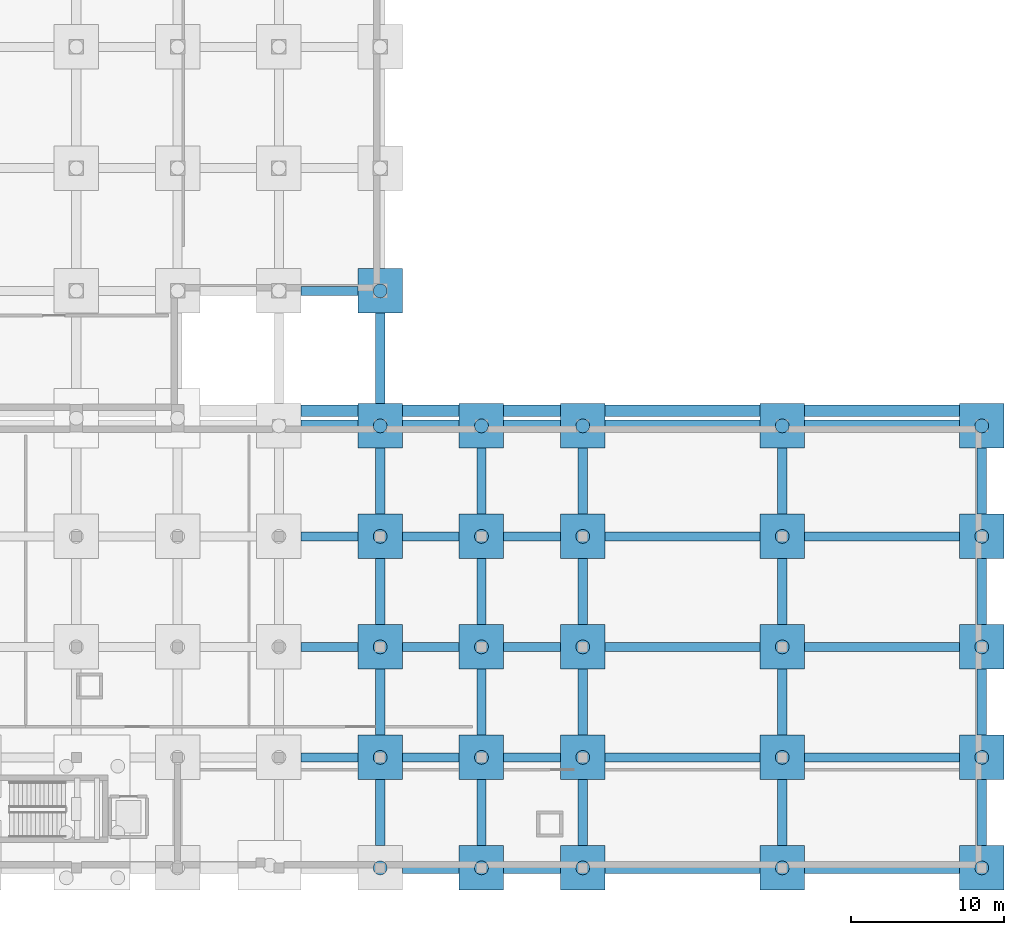
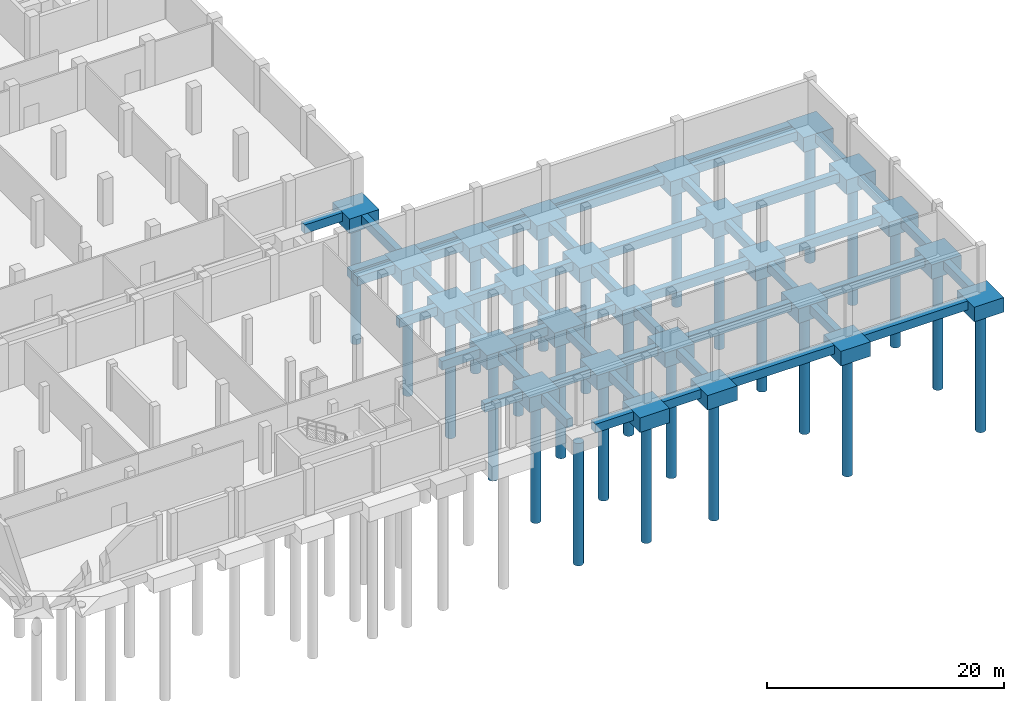
# One storey, part 11 of 29: 76 footings, 26 piles.
"""IFC4 building model written with IfcOpenShell, lengths in metres."""

from ifc_helpers import new_model, si_unit, direction, frame, origin, origin_2d, place, context, subcontext, project, spatial, polyline, rectangle, circle, outline, extrude, material, material_profile, profile_set, type_object, element, save


model = new_model("IFC4")

# Units and contexts
model_context = context("Model", 3, precision=1e-05, world=origin(), true_north=direction((0.0, 1.0)))
body_context = subcontext(model_context, "Body", "Model", "MODEL_VIEW")
ifc_project = project(units=[si_unit("LENGTHUNIT", "METRE"), si_unit("AREAUNIT", "SQUARE_METRE"), si_unit("VOLUMEUNIT", "CUBIC_METRE"), si_unit("PLANEANGLEUNIT", "RADIAN"), si_unit("MASSUNIT", "GRAM", prefix="KILO")], contexts=[model_context])

# Site, building, storey
site_placement = place(None, origin())
site = spatial("IfcSite", under=ifc_project, at=site_placement, CompositionType="ELEMENT")
building_placement = place(site_placement, origin())
building = spatial("IfcBuilding", under=site, at=building_placement, Name="Kelarvand Opera House", CompositionType="ELEMENT")
storey_placement = place(building_placement, frame((0.0, 0.0, -9.60009765625)))
storey = spatial("IfcBuildingStorey", under=building, at=storey_placement, Name="B2", CompositionType="ELEMENT", Elevation=-9.60009765625)

# Piles
ifc_material = material(Name="Concrete C40/50", Category="concrete")
ifc_material_profile = material_profile(ifc_material, circle(Radius=0.449951171875, at=origin_2d()), Name="BP 900", Category="concrete")
ifc_profile_set = profile_set([ifc_material_profile], Name="Concrete C40/50")
pile_type = type_object("IfcPileType", Name="Bored Pile 900 Concrete C40/50", PredefinedType="BORED", material=ifc_profile_set)
for number, where, z_axis, x_axis, name in (
    (1, (141.800048828125, 9.0, -1.7998046875), (0.0, 0.0, -1.0), (1.0, 0.0, 0.0), "V6 Bored Pile 20"),
    (2, (148.39990234375, 9.0, -1.7998046875), (0.0, 0.0, -1.0), (1.0, 0.0, 0.0), "V6 Bored Pile 21"),
    (3, (155.0, 9.0, -1.7998046875), (0.0, 0.0, -1.0), (1.0, 0.0, 0.0), "V6 Bored Pile 22"),
    (4, (168.0, 9.0, -1.7998046875), (0.0, 0.0, -1.0), (1.0, 0.0, 0.0), "V6 Bored Pile 23"),
    (5, (181.0, 9.0, -1.7998046875), (0.0, 0.0, -1.0), (1.0, 0.0, 0.0), "V6 Bored Pile 24"),
    (6, (141.800048828125, 16.199951171875, -1.7998046875), (0.0, 0.0, -1.0), (1.0, 0.0, 0.0), "V6 Bored Pile 45"),
    (7, (148.39990234375, 16.199951171875, -1.7998046875), (0.0, 0.0, -1.0), (1.0, 0.0, 0.0), "V6 Bored Pile 46"),
    (8, (155.0, 16.199951171875, -1.7998046875), (0.0, 0.0, -1.0), (1.0, 0.0, 0.0), "V6 Bored Pile 47"),
    (9, (168.0, 16.199951171875, -1.7998046875), (0.0, 0.0, -1.0), (1.0, 0.0, 0.0), "V6 Bored Pile 48"),
    (10, (181.0, 16.199951171875, -1.7998046875), (0.0, 0.0, -1.0), (1.0, 0.0, 0.0), "V6 Bored Pile 49"),
    (11, (141.800048828125, 23.39990234375, -1.7998046875), (0.0, 0.0, -1.0), (1.0, 0.0, 0.0), "V6 Bored Pile 65"),
    (12, (148.39990234375, 23.39990234375, -1.7998046875), (0.0, 0.0, -1.0), (1.0, 0.0, 0.0), "V6 Bored Pile 66"),
    (13, (155.0, 23.39990234375, -1.7998046875), (0.0, 0.0, -1.0), (1.0, 0.0, 0.0), "V6 Bored Pile 67"),
    (14, (168.0, 23.39990234375, -1.7998046875), (0.0, 0.0, -1.0), (1.0, 0.0, 0.0), "V6 Bored Pile 68"),
    (15, (181.0, 23.39990234375, -1.7998046875), (0.0, 0.0, -1.0), (1.0, 0.0, 0.0), "V6 Bored Pile 69"),
    (16, (141.800048828125, 30.60009765625, -1.7998046875), (0.0, 0.0, -1.0), (1.0, 0.0, 0.0), "V6 Bored Pile 85"),
    (17, (148.39990234375, 30.60009765625, -1.7998046875), (0.0, 0.0, -1.0), (1.0, 0.0, 0.0), "V6 Bored Pile 86"),
    (18, (155.0, 30.60009765625, -1.7998046875), (0.0, 0.0, -1.0), (1.0, 0.0, 0.0), "V6 Bored Pile 87"),
    (19, (168.0, 30.60009765625, -1.7998046875), (0.0, 0.0, -1.0), (1.0, 0.0, 0.0), "V6 Bored Pile 88"),
    (20, (181.0, 30.60009765625, -1.7998046875), (0.0, 0.0, -1.0), (1.0, 0.0, 0.0), "V6 Bored Pile 89"),
    (21, (141.800048828125, 37.800048828125, -1.7998046875), (0.0, 0.0, -1.0), (1.0, 0.0, 0.0), "V6 Bored Pile 106"),
    (22, (148.39990234375, 37.800048828125, -1.7998046875), (0.0, 0.0, -1.0), (1.0, 0.0, 0.0), "V6 Bored Pile 107"),
    (23, (155.0, 37.800048828125, -1.7998046875), (0.0, 0.0, -1.0), (1.0, 0.0, 0.0), "V6 Bored Pile 108"),
    (24, (168.0, 37.800048828125, -1.7998046875), (0.0, 0.0, -1.0), (1.0, 0.0, 0.0), "V6 Bored Pile 109"),
    (25, (181.0, 37.800048828125, -1.7998046875), (0.0, 0.0, -1.0), (1.0, 0.0, 0.0), "V6 Bored Pile 110"),
    (26, (141.800048828125, 46.60009765625, -1.7998046875), (0.0, 0.0, -1.0), (1.0, 0.0, 0.0), "V1 Bored Pile 131"),
):
    element("IfcPile", number, at=place(storey_placement, frame(where, z_axis=z_axis, x_axis=x_axis)), inside=storey, type_object=pile_type, Name=name, PredefinedType="BORED", context=body_context, shape_type="SweptSolid", body=[
        extrude(circle(Radius=0.449951171875, at=origin_2d()), origin(), (0.0, 0.0, 1.0), 12.60009765625),
    ])

# Footings
footing_type_1 = type_object("IfcFootingType", Name="Ground Tie Beam 600x900 Concrete C40/50", PredefinedType="FOOTING_BEAM", material=ifc_material)
footing_1_placement = place(storey_placement, frame((0.0, 0.0, -1.2998046875)))
element("IfcFooting", 27, at=footing_1_placement, inside=storey, type_object=footing_type_1, Name="Ground Beam 30", PredefinedType="FOOTING_BEAM", context=body_context, shape_type="SweptSolid", body=[
    extrude(outline(polyline([(136.64990234375, 15.89990234375), (140.35009765625, 15.89990234375), (140.35009765625, 16.5), (136.64990234375, 16.5), (136.64990234375, 15.89990234375)])), origin(), (0.0, 0.0, 1.0), 0.89990234375),
])
footing_2_placement = place(storey_placement, frame((0.0, 0.0, -1.2998046875)))
element("IfcFooting", 28, at=footing_2_placement, inside=storey, type_object=footing_type_1, Name="Ground Beam 31", PredefinedType="FOOTING_BEAM", context=body_context, shape_type="SweptSolid", body=[
    extrude(outline(polyline([(143.25, 15.89990234375), (146.949951171875, 15.89990234375), (146.949951171875, 16.5), (143.25, 16.5), (143.25, 15.89990234375)])), origin(), (0.0, 0.0, 1.0), 0.89990234375),
])
footing_3_placement = place(storey_placement, frame((0.0, 0.0, -1.2998046875)))
element("IfcFooting", 29, at=footing_3_placement, inside=storey, type_object=footing_type_1, Name="Ground Beam 32", PredefinedType="FOOTING_BEAM", context=body_context, shape_type="SweptSolid", body=[
    extrude(outline(polyline([(149.85009765625, 15.89990234375), (153.550048828125, 15.89990234375), (153.550048828125, 16.5), (149.85009765625, 16.5), (149.85009765625, 15.89990234375)])), origin(), (0.0, 0.0, 1.0), 0.89990234375),
])
footing_4_placement = place(storey_placement, frame((0.0, 0.0, -1.2998046875)))
element("IfcFooting", 30, at=footing_4_placement, inside=storey, type_object=footing_type_1, Name="Ground Beam 33", PredefinedType="FOOTING_BEAM", context=body_context, shape_type="SweptSolid", body=[
    extrude(outline(polyline([(156.449951171875, 15.89990234375), (166.550048828125, 15.89990234375), (166.550048828125, 16.5), (156.449951171875, 16.5), (156.449951171875, 15.89990234375)])), origin(), (0.0, 0.0, 1.0), 0.89990234375),
])
footing_5_placement = place(storey_placement, frame((0.0, 0.0, -1.2998046875)))
element("IfcFooting", 31, at=footing_5_placement, inside=storey, type_object=footing_type_1, Name="Ground Beam 34", PredefinedType="FOOTING_BEAM", context=body_context, shape_type="SweptSolid", body=[
    extrude(outline(polyline([(169.449951171875, 15.89990234375), (179.550048828125, 15.89990234375), (179.550048828125, 16.5), (169.449951171875, 16.5), (169.449951171875, 15.89990234375)])), origin(), (0.0, 0.0, 1.0), 0.89990234375),
])
footing_6_placement = place(storey_placement, frame((0.0, 0.0, -1.2998046875)))
element("IfcFooting", 32, at=footing_6_placement, inside=storey, type_object=footing_type_1, Name="Ground Beam 47", PredefinedType="FOOTING_BEAM", context=body_context, shape_type="SweptSolid", body=[
    extrude(outline(polyline([(136.64990234375, 23.10009765625), (140.35009765625, 23.10009765625), (140.35009765625, 23.699951171875), (136.64990234375, 23.699951171875), (136.64990234375, 23.10009765625)])), origin(), (0.0, 0.0, 1.0), 0.89990234375),
])
footing_7_placement = place(storey_placement, frame((0.0, 0.0, -1.2998046875)))
element("IfcFooting", 33, at=footing_7_placement, inside=storey, type_object=footing_type_1, Name="Ground Beam 48", PredefinedType="FOOTING_BEAM", context=body_context, shape_type="SweptSolid", body=[
    extrude(outline(polyline([(143.25, 23.10009765625), (146.949951171875, 23.10009765625), (146.949951171875, 23.699951171875), (143.25, 23.699951171875), (143.25, 23.10009765625)])), origin(), (0.0, 0.0, 1.0), 0.89990234375),
])
footing_8_placement = place(storey_placement, frame((0.0, 0.0, -1.2998046875)))
element("IfcFooting", 34, at=footing_8_placement, inside=storey, type_object=footing_type_1, Name="Ground Beam 49", PredefinedType="FOOTING_BEAM", context=body_context, shape_type="SweptSolid", body=[
    extrude(outline(polyline([(149.85009765625, 23.10009765625), (153.550048828125, 23.10009765625), (153.550048828125, 23.699951171875), (149.85009765625, 23.699951171875), (149.85009765625, 23.10009765625)])), origin(), (0.0, 0.0, 1.0), 0.89990234375),
])
footing_9_placement = place(storey_placement, frame((0.0, 0.0, -1.2998046875)))
element("IfcFooting", 35, at=footing_9_placement, inside=storey, type_object=footing_type_1, Name="Ground Beam 50", PredefinedType="FOOTING_BEAM", context=body_context, shape_type="SweptSolid", body=[
    extrude(outline(polyline([(156.449951171875, 23.10009765625), (166.550048828125, 23.10009765625), (166.550048828125, 23.699951171875), (156.449951171875, 23.699951171875), (156.449951171875, 23.10009765625)])), origin(), (0.0, 0.0, 1.0), 0.89990234375),
])
footing_10_placement = place(storey_placement, frame((0.0, 0.0, -1.2998046875)))
element("IfcFooting", 36, at=footing_10_placement, inside=storey, type_object=footing_type_1, Name="Ground Beam 51", PredefinedType="FOOTING_BEAM", context=body_context, shape_type="SweptSolid", body=[
    extrude(outline(polyline([(169.449951171875, 23.10009765625), (179.550048828125, 23.10009765625), (179.550048828125, 23.699951171875), (169.449951171875, 23.699951171875), (169.449951171875, 23.10009765625)])), origin(), (0.0, 0.0, 1.0), 0.89990234375),
])
footing_11_placement = place(storey_placement, frame((0.0, 0.0, -1.2998046875)))
element("IfcFooting", 37, at=footing_11_placement, inside=storey, type_object=footing_type_1, Name="Ground Beam 64", PredefinedType="FOOTING_BEAM", context=body_context, shape_type="SweptSolid", body=[
    extrude(outline(polyline([(136.64990234375, 30.300048828125), (140.35009765625, 30.300048828125), (140.35009765625, 30.89990234375), (136.64990234375, 30.89990234375), (136.64990234375, 30.300048828125)])), origin(), (0.0, 0.0, 1.0), 0.89990234375),
])
footing_12_placement = place(storey_placement, frame((0.0, 0.0, -1.2998046875)))
element("IfcFooting", 38, at=footing_12_placement, inside=storey, type_object=footing_type_1, Name="Ground Beam 65", PredefinedType="FOOTING_BEAM", context=body_context, shape_type="SweptSolid", body=[
    extrude(outline(polyline([(143.25, 30.300048828125), (146.949951171875, 30.300048828125), (146.949951171875, 30.89990234375), (143.25, 30.89990234375), (143.25, 30.300048828125)])), origin(), (0.0, 0.0, 1.0), 0.89990234375),
])
footing_13_placement = place(storey_placement, frame((0.0, 0.0, -1.2998046875)))
element("IfcFooting", 39, at=footing_13_placement, inside=storey, type_object=footing_type_1, Name="Ground Beam 66", PredefinedType="FOOTING_BEAM", context=body_context, shape_type="SweptSolid", body=[
    extrude(outline(polyline([(149.85009765625, 30.300048828125), (153.550048828125, 30.300048828125), (153.550048828125, 30.89990234375), (149.85009765625, 30.89990234375), (149.85009765625, 30.300048828125)])), origin(), (0.0, 0.0, 1.0), 0.89990234375),
])
footing_14_placement = place(storey_placement, frame((0.0, 0.0, -1.2998046875)))
element("IfcFooting", 40, at=footing_14_placement, inside=storey, type_object=footing_type_1, Name="Ground Beam 67", PredefinedType="FOOTING_BEAM", context=body_context, shape_type="SweptSolid", body=[
    extrude(outline(polyline([(156.449951171875, 30.300048828125), (166.550048828125, 30.300048828125), (166.550048828125, 30.89990234375), (156.449951171875, 30.89990234375), (156.449951171875, 30.300048828125)])), origin(), (0.0, 0.0, 1.0), 0.89990234375),
])
footing_15_placement = place(storey_placement, frame((0.0, 0.0, -1.2998046875)))
element("IfcFooting", 41, at=footing_15_placement, inside=storey, type_object=footing_type_1, Name="Ground Beam 68", PredefinedType="FOOTING_BEAM", context=body_context, shape_type="SweptSolid", body=[
    extrude(outline(polyline([(169.449951171875, 30.300048828125), (179.550048828125, 30.300048828125), (179.550048828125, 30.89990234375), (169.449951171875, 30.89990234375), (169.449951171875, 30.300048828125)])), origin(), (0.0, 0.0, 1.0), 0.89990234375),
])
footing_16_placement = place(storey_placement, frame((0.0, 0.0, -1.2998046875)))
element("IfcFooting", 42, at=footing_16_placement, inside=storey, type_object=footing_type_1, Name="Ground Beam 126", PredefinedType="FOOTING_BEAM", context=body_context, shape_type="SweptSolid", body=[
    extrude(outline(polyline([(136.64990234375, 46.300048828125), (140.35009765625, 46.300048828125), (140.35009765625, 46.89990234375), (136.64990234375, 46.89990234375), (136.64990234375, 46.300048828125)])), origin(), (0.0, 0.0, 1.0), 0.89990234375),
])
footing_17_placement = place(storey_placement, frame((0.0, 0.0, -1.2998046875)))
element("IfcFooting", 43, at=footing_17_placement, inside=storey, type_object=footing_type_1, Name="Ground Beam 501", PredefinedType="FOOTING_BEAM", context=body_context, shape_type="SweptSolid", body=[
    extrude(outline(polyline([(141.5, 10.449951171875), (142.10009765625, 10.449951171875), (142.10009765625, 14.75), (141.5, 14.75), (141.5, 10.449951171875)])), origin(), (0.0, 0.0, 1.0), 0.89990234375),
])
footing_18_placement = place(storey_placement, frame((0.0, 0.0, -1.2998046875)))
element("IfcFooting", 44, at=footing_18_placement, inside=storey, type_object=footing_type_1, Name="Ground Beam 502", PredefinedType="FOOTING_BEAM", context=body_context, shape_type="SweptSolid", body=[
    extrude(outline(polyline([(141.5, 17.64990234375), (142.10009765625, 17.64990234375), (142.10009765625, 21.949951171875), (141.5, 21.949951171875), (141.5, 17.64990234375)])), origin(), (0.0, 0.0, 1.0), 0.89990234375),
])
footing_19_placement = place(storey_placement, frame((0.0, 0.0, -1.2998046875)))
element("IfcFooting", 45, at=footing_19_placement, inside=storey, type_object=footing_type_1, Name="Ground Beam 503", PredefinedType="FOOTING_BEAM", context=body_context, shape_type="SweptSolid", body=[
    extrude(outline(polyline([(141.5, 24.85009765625), (142.10009765625, 24.85009765625), (142.10009765625, 29.14990234375), (141.5, 29.14990234375), (141.5, 24.85009765625)])), origin(), (0.0, 0.0, 1.0), 0.89990234375),
])
footing_20_placement = place(storey_placement, frame((0.0, 0.0, -1.2998046875)))
element("IfcFooting", 46, at=footing_20_placement, inside=storey, type_object=footing_type_1, Name="Ground Beam 504", PredefinedType="FOOTING_BEAM", context=body_context, shape_type="SweptSolid", body=[
    extrude(outline(polyline([(141.5, 32.050048828125), (142.10009765625, 32.050048828125), (142.10009765625, 36.35009765625), (141.5, 36.35009765625), (141.5, 32.050048828125)])), origin(), (0.0, 0.0, 1.0), 0.89990234375),
])
footing_21_placement = place(storey_placement, frame((0.0, 0.0, -1.2998046875)))
element("IfcFooting", 47, at=footing_21_placement, inside=storey, type_object=footing_type_1, Name="Ground Beam 505", PredefinedType="FOOTING_BEAM", context=body_context, shape_type="SweptSolid", body=[
    extrude(outline(polyline([(141.5, 39.25), (142.10009765625, 39.25), (142.10009765625, 45.14990234375), (141.5, 45.14990234375), (141.5, 39.25)])), origin(), (0.0, 0.0, 1.0), 0.89990234375),
])
footing_22_placement = place(storey_placement, frame((0.0, 0.0, -1.2998046875)))
element("IfcFooting", 48, at=footing_22_placement, inside=storey, type_object=footing_type_1, Name="Ground Beam 510", PredefinedType="FOOTING_BEAM", context=body_context, shape_type="SweptSolid", body=[
    extrude(outline(polyline([(148.10009765625, 10.449951171875), (148.699951171875, 10.449951171875), (148.699951171875, 14.75), (148.10009765625, 14.75), (148.10009765625, 10.449951171875)])), origin(), (0.0, 0.0, 1.0), 0.89990234375),
])
footing_23_placement = place(storey_placement, frame((0.0, 0.0, -1.2998046875)))
element("IfcFooting", 49, at=footing_23_placement, inside=storey, type_object=footing_type_1, Name="Ground Beam 511", PredefinedType="FOOTING_BEAM", context=body_context, shape_type="SweptSolid", body=[
    extrude(outline(polyline([(148.10009765625, 17.64990234375), (148.699951171875, 17.64990234375), (148.699951171875, 21.949951171875), (148.10009765625, 21.949951171875), (148.10009765625, 17.64990234375)])), origin(), (0.0, 0.0, 1.0), 0.89990234375),
])
footing_24_placement = place(storey_placement, frame((0.0, 0.0, -1.2998046875)))
element("IfcFooting", 50, at=footing_24_placement, inside=storey, type_object=footing_type_1, Name="Ground Beam 512", PredefinedType="FOOTING_BEAM", context=body_context, shape_type="SweptSolid", body=[
    extrude(outline(polyline([(148.10009765625, 24.85009765625), (148.699951171875, 24.85009765625), (148.699951171875, 29.14990234375), (148.10009765625, 29.14990234375), (148.10009765625, 24.85009765625)])), origin(), (0.0, 0.0, 1.0), 0.89990234375),
])
footing_25_placement = place(storey_placement, frame((0.0, 0.0, -1.2998046875)))
element("IfcFooting", 51, at=footing_25_placement, inside=storey, type_object=footing_type_1, Name="Ground Beam 513", PredefinedType="FOOTING_BEAM", context=body_context, shape_type="SweptSolid", body=[
    extrude(outline(polyline([(148.10009765625, 32.050048828125), (148.699951171875, 32.050048828125), (148.699951171875, 36.35009765625), (148.10009765625, 36.35009765625), (148.10009765625, 32.050048828125)])), origin(), (0.0, 0.0, 1.0), 0.89990234375),
])
footing_26_placement = place(storey_placement, frame((0.0, 0.0, -1.2998046875)))
element("IfcFooting", 52, at=footing_26_placement, inside=storey, type_object=footing_type_1, Name="Ground Beam 514", PredefinedType="FOOTING_BEAM", context=body_context, shape_type="SweptSolid", body=[
    extrude(outline(polyline([(154.699951171875, 10.449951171875), (155.300048828125, 10.449951171875), (155.300048828125, 14.75), (154.699951171875, 14.75), (154.699951171875, 10.449951171875)])), origin(), (0.0, 0.0, 1.0), 0.89990234375),
])
footing_27_placement = place(storey_placement, frame((0.0, 0.0, -1.2998046875)))
element("IfcFooting", 53, at=footing_27_placement, inside=storey, type_object=footing_type_1, Name="Ground Beam 515", PredefinedType="FOOTING_BEAM", context=body_context, shape_type="SweptSolid", body=[
    extrude(outline(polyline([(154.699951171875, 17.64990234375), (155.300048828125, 17.64990234375), (155.300048828125, 21.949951171875), (154.699951171875, 21.949951171875), (154.699951171875, 17.64990234375)])), origin(), (0.0, 0.0, 1.0), 0.89990234375),
])
footing_28_placement = place(storey_placement, frame((0.0, 0.0, -1.2998046875)))
element("IfcFooting", 54, at=footing_28_placement, inside=storey, type_object=footing_type_1, Name="Ground Beam 516", PredefinedType="FOOTING_BEAM", context=body_context, shape_type="SweptSolid", body=[
    extrude(outline(polyline([(154.699951171875, 24.85009765625), (155.300048828125, 24.85009765625), (155.300048828125, 29.14990234375), (154.699951171875, 29.14990234375), (154.699951171875, 24.85009765625)])), origin(), (0.0, 0.0, 1.0), 0.89990234375),
])
footing_29_placement = place(storey_placement, frame((0.0, 0.0, -1.2998046875)))
element("IfcFooting", 55, at=footing_29_placement, inside=storey, type_object=footing_type_1, Name="Ground Beam 517", PredefinedType="FOOTING_BEAM", context=body_context, shape_type="SweptSolid", body=[
    extrude(outline(polyline([(154.699951171875, 32.050048828125), (155.300048828125, 32.050048828125), (155.300048828125, 36.35009765625), (154.699951171875, 36.35009765625), (154.699951171875, 32.050048828125)])), origin(), (0.0, 0.0, 1.0), 0.89990234375),
])
footing_30_placement = place(storey_placement, frame((0.0, 0.0, -1.2998046875)))
element("IfcFooting", 56, at=footing_30_placement, inside=storey, type_object=footing_type_1, Name="Ground Beam 518", PredefinedType="FOOTING_BEAM", context=body_context, shape_type="SweptSolid", body=[
    extrude(outline(polyline([(167.699951171875, 10.449951171875), (168.300048828125, 10.449951171875), (168.300048828125, 14.75), (167.699951171875, 14.75), (167.699951171875, 10.449951171875)])), origin(), (0.0, 0.0, 1.0), 0.89990234375),
])
footing_31_placement = place(storey_placement, frame((0.0, 0.0, -1.2998046875)))
element("IfcFooting", 57, at=footing_31_placement, inside=storey, type_object=footing_type_1, Name="Ground Beam 519", PredefinedType="FOOTING_BEAM", context=body_context, shape_type="SweptSolid", body=[
    extrude(outline(polyline([(167.699951171875, 17.64990234375), (168.300048828125, 17.64990234375), (168.300048828125, 21.949951171875), (167.699951171875, 21.949951171875), (167.699951171875, 17.64990234375)])), origin(), (0.0, 0.0, 1.0), 0.89990234375),
])
footing_32_placement = place(storey_placement, frame((0.0, 0.0, -1.2998046875)))
element("IfcFooting", 58, at=footing_32_placement, inside=storey, type_object=footing_type_1, Name="Ground Beam 520", PredefinedType="FOOTING_BEAM", context=body_context, shape_type="SweptSolid", body=[
    extrude(outline(polyline([(167.699951171875, 24.85009765625), (168.300048828125, 24.85009765625), (168.300048828125, 29.14990234375), (167.699951171875, 29.14990234375), (167.699951171875, 24.85009765625)])), origin(), (0.0, 0.0, 1.0), 0.89990234375),
])
footing_33_placement = place(storey_placement, frame((0.0, 0.0, -1.2998046875)))
element("IfcFooting", 59, at=footing_33_placement, inside=storey, type_object=footing_type_1, Name="Ground Beam 521", PredefinedType="FOOTING_BEAM", context=body_context, shape_type="SweptSolid", body=[
    extrude(outline(polyline([(167.699951171875, 32.050048828125), (168.300048828125, 32.050048828125), (168.300048828125, 36.35009765625), (167.699951171875, 36.35009765625), (167.699951171875, 32.050048828125)])), origin(), (0.0, 0.0, 1.0), 0.89990234375),
])
footing_34_placement = place(storey_placement, frame((0.0, 0.0, -1.2998046875)))
element("IfcFooting", 60, at=footing_34_placement, inside=storey, type_object=footing_type_1, Name="Ground Beam 522", PredefinedType="FOOTING_BEAM", context=body_context, shape_type="SweptSolid", body=[
    extrude(outline(polyline([(180.699951171875, 10.449951171875), (181.300048828125, 10.449951171875), (181.300048828125, 14.75), (180.699951171875, 14.75), (180.699951171875, 10.449951171875)])), origin(), (0.0, 0.0, 1.0), 0.89990234375),
])
footing_35_placement = place(storey_placement, frame((0.0, 0.0, -1.2998046875)))
element("IfcFooting", 61, at=footing_35_placement, inside=storey, type_object=footing_type_1, Name="Ground Beam 523", PredefinedType="FOOTING_BEAM", context=body_context, shape_type="SweptSolid", body=[
    extrude(outline(polyline([(180.699951171875, 17.64990234375), (181.300048828125, 17.64990234375), (181.300048828125, 21.949951171875), (180.699951171875, 21.949951171875), (180.699951171875, 17.64990234375)])), origin(), (0.0, 0.0, 1.0), 0.89990234375),
])
footing_36_placement = place(storey_placement, frame((0.0, 0.0, -1.2998046875)))
element("IfcFooting", 62, at=footing_36_placement, inside=storey, type_object=footing_type_1, Name="Ground Beam 524", PredefinedType="FOOTING_BEAM", context=body_context, shape_type="SweptSolid", body=[
    extrude(outline(polyline([(180.699951171875, 24.85009765625), (181.300048828125, 24.85009765625), (181.300048828125, 29.14990234375), (180.699951171875, 29.14990234375), (180.699951171875, 24.85009765625)])), origin(), (0.0, 0.0, 1.0), 0.89990234375),
])
footing_37_placement = place(storey_placement, frame((0.0, 0.0, -1.2998046875)))
element("IfcFooting", 63, at=footing_37_placement, inside=storey, type_object=footing_type_1, Name="Ground Beam 525", PredefinedType="FOOTING_BEAM", context=body_context, shape_type="SweptSolid", body=[
    extrude(outline(polyline([(180.699951171875, 32.050048828125), (181.300048828125, 32.050048828125), (181.300048828125, 36.35009765625), (180.699951171875, 36.35009765625), (180.699951171875, 32.050048828125)])), origin(), (0.0, 0.0, 1.0), 0.89990234375),
])
footing_type_2 = type_object("IfcFootingType", Name="Perimeter Strip Footing 750x900 Concrete C40/50", PredefinedType="STRIP_FOOTING", material=ifc_material)
footing_38_placement = place(storey_placement, frame((0.0, 0.0, -1.2998046875)))
element("IfcFooting", 64, at=footing_38_placement, inside=storey, type_object=footing_type_2, Name="Ground Beam 14", PredefinedType="STRIP_FOOTING", context=body_context, shape_type="SweptSolid", body=[
    extrude(outline(polyline([(143.25, 8.625), (146.949951171875, 8.625), (146.949951171875, 9.375), (143.25, 9.375), (143.25, 8.625)])), origin(), (0.0, 0.0, 1.0), 0.89990234375),
])
footing_39_placement = place(storey_placement, frame((0.0, 0.0, -1.2998046875)))
element("IfcFooting", 65, at=footing_39_placement, inside=storey, type_object=footing_type_2, Name="Ground Beam 15", PredefinedType="STRIP_FOOTING", context=body_context, shape_type="SweptSolid", body=[
    extrude(outline(polyline([(149.85009765625, 8.625), (153.550048828125, 8.625), (153.550048828125, 9.375), (149.85009765625, 9.375), (149.85009765625, 8.625)])), origin(), (0.0, 0.0, 1.0), 0.89990234375),
])
footing_40_placement = place(storey_placement, frame((0.0, 0.0, -1.2998046875)))
element("IfcFooting", 66, at=footing_40_placement, inside=storey, type_object=footing_type_2, Name="Ground Beam 16", PredefinedType="STRIP_FOOTING", context=body_context, shape_type="SweptSolid", body=[
    extrude(outline(polyline([(156.449951171875, 8.625), (166.550048828125, 8.625), (166.550048828125, 9.375), (156.449951171875, 9.375), (156.449951171875, 8.625)])), origin(), (0.0, 0.0, 1.0), 0.89990234375),
])
footing_41_placement = place(storey_placement, frame((0.0, 0.0, -1.2998046875)))
element("IfcFooting", 67, at=footing_41_placement, inside=storey, type_object=footing_type_2, Name="Ground Beam 17", PredefinedType="STRIP_FOOTING", context=body_context, shape_type="SweptSolid", body=[
    extrude(outline(polyline([(169.449951171875, 8.625), (179.550048828125, 8.625), (179.550048828125, 9.375), (169.449951171875, 9.375), (169.449951171875, 8.625)])), origin(), (0.0, 0.0, 1.0), 0.89990234375),
])
footing_42_placement = place(storey_placement, frame((0.0, 0.0, -1.2998046875)))
element("IfcFooting", 68, at=footing_42_placement, inside=storey, type_object=footing_type_2, Name="Ground Beam 86", PredefinedType="STRIP_FOOTING", context=body_context, shape_type="SweptSolid", body=[
    extrude(outline(polyline([(136.64990234375, 37.425048828125), (140.35009765625, 37.425048828125), (140.35009765625, 38.175048828125), (136.64990234375, 38.175048828125), (136.64990234375, 37.425048828125)])), origin(), (0.0, 0.0, 1.0), 0.89990234375),
])
footing_43_placement = place(storey_placement, frame((0.0, 0.0, -1.2998046875)))
element("IfcFooting", 69, at=footing_43_placement, inside=storey, type_object=footing_type_2, Name="Ground Beam 87", PredefinedType="STRIP_FOOTING", context=body_context, shape_type="SweptSolid", body=[
    extrude(outline(polyline([(143.25, 37.425048828125), (146.949951171875, 37.425048828125), (146.949951171875, 38.175048828125), (143.25, 38.175048828125), (143.25, 37.425048828125)])), origin(), (0.0, 0.0, 1.0), 0.89990234375),
])
footing_44_placement = place(storey_placement, frame((0.0, 0.0, -1.2998046875)))
element("IfcFooting", 70, at=footing_44_placement, inside=storey, type_object=footing_type_2, Name="Ground Beam 88", PredefinedType="STRIP_FOOTING", context=body_context, shape_type="SweptSolid", body=[
    extrude(outline(polyline([(149.85009765625, 37.425048828125), (153.550048828125, 37.425048828125), (153.550048828125, 38.175048828125), (149.85009765625, 38.175048828125), (149.85009765625, 37.425048828125)])), origin(), (0.0, 0.0, 1.0), 0.89990234375),
])
footing_45_placement = place(storey_placement, frame((0.0, 0.0, -1.2998046875)))
element("IfcFooting", 71, at=footing_45_placement, inside=storey, type_object=footing_type_2, Name="Ground Beam 89", PredefinedType="STRIP_FOOTING", context=body_context, shape_type="SweptSolid", body=[
    extrude(outline(polyline([(156.449951171875, 37.425048828125), (166.550048828125, 37.425048828125), (166.550048828125, 38.175048828125), (156.449951171875, 38.175048828125), (156.449951171875, 37.425048828125)])), origin(), (0.0, 0.0, 1.0), 0.89990234375),
])
footing_46_placement = place(storey_placement, frame((0.0, 0.0, -1.2998046875)))
element("IfcFooting", 72, at=footing_46_placement, inside=storey, type_object=footing_type_2, Name="Ground Beam 90", PredefinedType="STRIP_FOOTING", context=body_context, shape_type="SweptSolid", body=[
    extrude(outline(polyline([(169.449951171875, 37.425048828125), (179.550048828125, 37.425048828125), (179.550048828125, 38.175048828125), (169.449951171875, 38.175048828125), (169.449951171875, 37.425048828125)])), origin(), (0.0, 0.0, 1.0), 0.89990234375),
])
footing_47_placement = place(storey_placement, frame((0.0, 0.0, -1.2998046875)))
element("IfcFooting", 73, at=footing_47_placement, inside=storey, type_object=footing_type_2, Name="Ground Beam 108", PredefinedType="STRIP_FOOTING", context=body_context, shape_type="SweptSolid", body=[
    extrude(outline(polyline([(136.64990234375, 38.425048828125), (140.35009765625, 38.425048828125), (140.35009765625, 39.175048828125), (136.64990234375, 39.175048828125), (136.64990234375, 38.425048828125)])), origin(), (0.0, 0.0, 1.0), 0.89990234375),
])
footing_48_placement = place(storey_placement, frame((0.0, 0.0, -1.2998046875)))
element("IfcFooting", 74, at=footing_48_placement, inside=storey, type_object=footing_type_2, Name="Ground Beam 109", PredefinedType="STRIP_FOOTING", context=body_context, shape_type="SweptSolid", body=[
    extrude(outline(polyline([(143.25, 38.425048828125), (146.949951171875, 38.425048828125), (146.949951171875, 39.175048828125), (143.25, 39.175048828125), (143.25, 38.425048828125)])), origin(), (0.0, 0.0, 1.0), 0.89990234375),
])
footing_49_placement = place(storey_placement, frame((0.0, 0.0, -1.2998046875)))
element("IfcFooting", 75, at=footing_49_placement, inside=storey, type_object=footing_type_2, Name="Ground Beam 110", PredefinedType="STRIP_FOOTING", context=body_context, shape_type="SweptSolid", body=[
    extrude(outline(polyline([(149.85009765625, 38.425048828125), (153.550048828125, 38.425048828125), (153.550048828125, 39.175048828125), (149.85009765625, 39.175048828125), (149.85009765625, 38.425048828125)])), origin(), (0.0, 0.0, 1.0), 0.89990234375),
])
footing_50_placement = place(storey_placement, frame((0.0, 0.0, -1.2998046875)))
element("IfcFooting", 76, at=footing_50_placement, inside=storey, type_object=footing_type_2, Name="Ground Beam 111", PredefinedType="STRIP_FOOTING", context=body_context, shape_type="SweptSolid", body=[
    extrude(outline(polyline([(156.449951171875, 38.425048828125), (166.550048828125, 38.425048828125), (166.550048828125, 39.175048828125), (156.449951171875, 39.175048828125), (156.449951171875, 38.425048828125)])), origin(), (0.0, 0.0, 1.0), 0.89990234375),
])
footing_51_placement = place(storey_placement, frame((0.0, 0.0, -1.2998046875)))
element("IfcFooting", 77, at=footing_51_placement, inside=storey, type_object=footing_type_2, Name="Ground Beam 112", PredefinedType="STRIP_FOOTING", context=body_context, shape_type="SweptSolid", body=[
    extrude(outline(polyline([(169.449951171875, 38.425048828125), (179.550048828125, 38.425048828125), (179.550048828125, 39.175048828125), (169.449951171875, 39.175048828125), (169.449951171875, 38.425048828125)])), origin(), (0.0, 0.0, 1.0), 0.89990234375),
])
footing_type_3 = type_object("IfcFootingType", Name="Pile Cap 2900x2900x1500 PC-01", PredefinedType="PILE_CAP", material=ifc_material)
for number, where, z_axis, x_axis, name in (
    (78, (148.39990234375, 9.0, -1.89990234375), (0.0, 0.0, 1.0), (1.0, 0.0, 0.0), "V6 Pile Cap PC-01 (16)"),
    (79, (155.0, 9.0, -1.89990234375), (0.0, 0.0, 1.0), (1.0, 0.0, 0.0), "V6 Pile Cap PC-01 (17)"),
    (80, (168.0, 9.0, -1.89990234375), (0.0, 0.0, 1.0), (1.0, 0.0, 0.0), "V6 Pile Cap PC-01 (18)"),
    (81, (181.0, 9.0, -1.89990234375), (0.0, 0.0, 1.0), (1.0, 0.0, 0.0), "V6 Pile Cap PC-01 (19)"),
    (82, (141.800048828125, 16.199951171875, -1.89990234375), (0.0, 0.0, 1.0), (1.0, 0.0, 0.0), "V6 Pile Cap PC-01 (39)"),
    (83, (148.39990234375, 16.199951171875, -1.89990234375), (0.0, 0.0, 1.0), (1.0, 0.0, 0.0), "V6 Pile Cap PC-01 (40)"),
    (84, (155.0, 16.199951171875, -1.89990234375), (0.0, 0.0, 1.0), (1.0, 0.0, 0.0), "V6 Pile Cap PC-01 (41)"),
    (85, (168.0, 16.199951171875, -1.89990234375), (0.0, 0.0, 1.0), (1.0, 0.0, 0.0), "V6 Pile Cap PC-01 (42)"),
    (86, (181.0, 16.199951171875, -1.89990234375), (0.0, 0.0, 1.0), (1.0, 0.0, 0.0), "V6 Pile Cap PC-01 (43)"),
    (87, (141.800048828125, 23.39990234375, -1.89990234375), (0.0, 0.0, 1.0), (1.0, 0.0, 0.0), "V6 Pile Cap PC-01 (59)"),
    (88, (148.39990234375, 23.39990234375, -1.89990234375), (0.0, 0.0, 1.0), (1.0, 0.0, 0.0), "V6 Pile Cap PC-01 (60)"),
    (89, (155.0, 23.39990234375, -1.89990234375), (0.0, 0.0, 1.0), (1.0, 0.0, 0.0), "V6 Pile Cap PC-01 (61)"),
    (90, (168.0, 23.39990234375, -1.89990234375), (0.0, 0.0, 1.0), (1.0, 0.0, 0.0), "V6 Pile Cap PC-01 (62)"),
    (91, (181.0, 23.39990234375, -1.89990234375), (0.0, 0.0, 1.0), (1.0, 0.0, 0.0), "V6 Pile Cap PC-01 (63)"),
    (92, (141.800048828125, 30.60009765625, -1.89990234375), (0.0, 0.0, 1.0), (1.0, 0.0, 0.0), "V6 Pile Cap PC-01 (79)"),
    (93, (148.39990234375, 30.60009765625, -1.89990234375), (0.0, 0.0, 1.0), (1.0, 0.0, 0.0), "V6 Pile Cap PC-01 (80)"),
    (94, (155.0, 30.60009765625, -1.89990234375), (0.0, 0.0, 1.0), (1.0, 0.0, 0.0), "V6 Pile Cap PC-01 (81)"),
    (95, (168.0, 30.60009765625, -1.89990234375), (0.0, 0.0, 1.0), (1.0, 0.0, 0.0), "V6 Pile Cap PC-01 (82)"),
    (96, (181.0, 30.60009765625, -1.89990234375), (0.0, 0.0, 1.0), (1.0, 0.0, 0.0), "V6 Pile Cap PC-01 (83)"),
    (97, (141.800048828125, 37.800048828125, -1.89990234375), (0.0, 0.0, 1.0), (1.0, 0.0, 0.0), "V6 Pile Cap PC-01 (99)"),
    (98, (148.39990234375, 37.800048828125, -1.89990234375), (0.0, 0.0, 1.0), (1.0, 0.0, 0.0), "V6 Pile Cap PC-01 (100)"),
    (99, (155.0, 37.800048828125, -1.89990234375), (0.0, 0.0, 1.0), (1.0, 0.0, 0.0), "V6 Pile Cap PC-01 (101)"),
    (100, (168.0, 37.800048828125, -1.89990234375), (0.0, 0.0, 1.0), (1.0, 0.0, 0.0), "V6 Pile Cap PC-01 (102)"),
    (101, (181.0, 37.800048828125, -1.89990234375), (0.0, 0.0, 1.0), (1.0, 0.0, 0.0), "V6 Pile Cap PC-01 (103)"),
    (102, (141.800048828125, 46.60009765625, -1.89990234375), (0.0, 0.0, 1.0), (1.0, 0.0, 0.0), "V1 Pile Cap PC-01 (124)"),
):
    element("IfcFooting", number, at=place(storey_placement, frame(where, z_axis=z_axis, x_axis=x_axis)), inside=storey, type_object=footing_type_3, Name=name, PredefinedType="PILE_CAP", context=body_context, shape_type="SweptSolid", body=[
        extrude(rectangle(XDim=2.89990234375, YDim=2.89990234375, at=origin_2d()), origin(), (0.0, 0.0, 1.0), 1.5),
    ])

save(model, "model.ifc")
